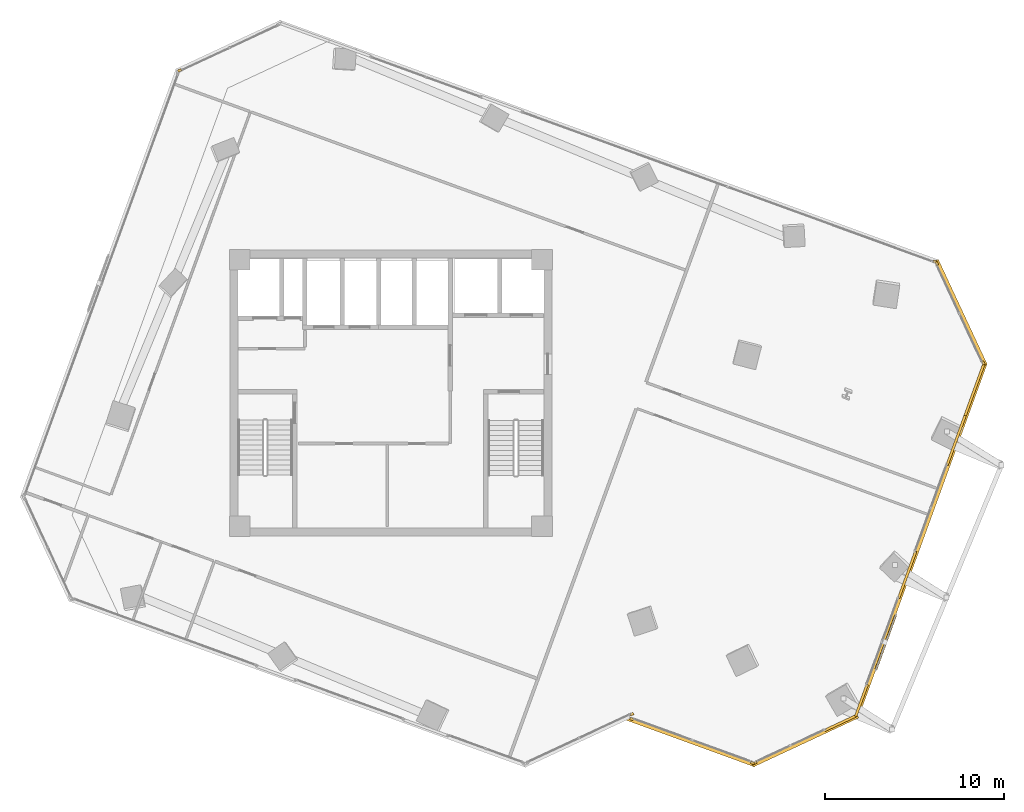
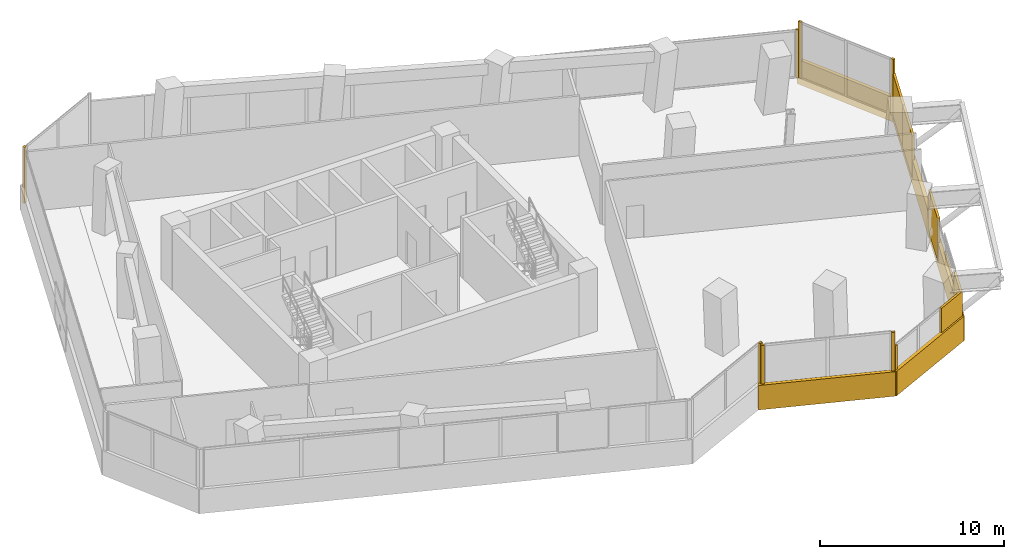
# One storey, part 20 of 21: 17 coverings, 1 shading device.
"""IFC4 building model written with IfcOpenShell, lengths in metres."""

from ifc_helpers import new_model, si_unit, direction, frame, origin, origin_2d, place, context, subcontext, project, spatial, rectangle, extrude, source, transform, mapped, material, layer, layer_set, type_object, element, save


model = new_model("IFC4")

# Units and contexts
model_context = context("Model", 3, precision=1e-05, world=origin(), true_north=direction((0.0, 1.0)))
body_context = subcontext(model_context, "Body", "Model", "MODEL_VIEW")
ifc_project = project(units=[si_unit("LENGTHUNIT", "METRE"), si_unit("AREAUNIT", "SQUARE_METRE"), si_unit("VOLUMEUNIT", "CUBIC_METRE"), si_unit("PLANEANGLEUNIT", "RADIAN"), si_unit("MASSUNIT", "GRAM", prefix="KILO")], contexts=[model_context])

# Site, building, storey
site_placement = place(None, origin())
site = spatial("IfcSite", under=ifc_project, at=site_placement, CompositionType="ELEMENT")
building_placement = place(site_placement, origin())
building = spatial("IfcBuilding", under=site, at=building_placement, Name="Torre Montelarca", CompositionType="ELEMENT")
storey_placement = place(building_placement, frame((0.0, 0.0, 137.199951171875)))
storey = spatial("IfcBuildingStorey", under=building, at=storey_placement, Name="L30", CompositionType="ELEMENT", Elevation=137.199951171875)

# Coverings
ifc_material_1 = material(Name="Bush-hammered warm white precast concrete C45/55", Category="concrete")
ifc_layer_1 = layer(ifc_material_1, 0.139892578125, Name="Bush-hammered warm white precast concrete C45/55", Category="concrete")
ifc_layer_set_1 = layer_set([ifc_layer_1], Name="Bush-hammered warm white precast concrete C45/55")
covering_type = type_object("IfcCoveringType", Name="COV-TRAY-CLAD", PredefinedType="CLADDING", material=ifc_layer_set_1)
shared_shape_1 = source(origin(), body_context, "Body", "SweptSolid", [
    extrude(rectangle(XDim=6.48388671875, YDim=0.219970703125, at=origin_2d()), origin(), (0.0, 0.0, 1.0), 1.6201171875),
])
for number, where, z_axis, x_axis, name in (
    (1, (41.17041015625, 12.572021484375, -0.449951171875), (0.0, 0.0, 1.0), (0.906309262247, 0.422615098127, 0.0), "L30 Architectural White Spandrel Tray Band TRYBOT-05"),
    (2, (49.877197265625, 36.494384765625, -0.449951171875), (0.0, 0.0, 1.0), (-0.422615098127, 0.906309262247, 0.0), "L30 Architectural White Spandrel Tray Band TRYBOT-07"),
):
    element("IfcCovering", number, at=place(storey_placement, frame(where, z_axis=z_axis, x_axis=x_axis)), inside=storey, type_object=covering_type, Name=name, PredefinedType="CLADDING", context=body_context, shape_type="MappedRepresentation", body=[
        mapped(shared_shape_1, transform((0.0, 0.0, 0.0), scale=1.0)),
    ])
shared_shape_2 = source(origin(), body_context, "Body", "SweptSolid", [
    extrude(rectangle(XDim=21.1201171875, YDim=0.219970703125, at=origin_2d()), origin(), (0.0, 0.0, 1.0), 1.6201171875),
])
covering_1_placement = place(storey_placement, frame((47.6298828125, 23.7666015625, -0.449951171875), z_axis=(0.0, 0.0, 1.0), x_axis=(0.342018503252, 0.939693217722, 0.0)))
element("IfcCovering", 3, at=covering_1_placement, inside=storey, type_object=covering_type, Name="L30 Architectural White Spandrel Tray Band TRYBOT-06", PredefinedType="CLADDING", context=body_context, shape_type="MappedRepresentation", body=[
    mapped(shared_shape_2, transform((0.0, 0.0, 0.0), scale=1.0)),
])

# Shading device
ifc_material_2 = material(Name="Architectural perforated terracotta ceramic", Category="masonry")
ifc_layer_2 = layer(ifc_material_2, 0.080078125, Name="Architectural perforated terracotta ceramic", Category="masonry")
ifc_layer_set_2 = layer_set([ifc_layer_2], Name="Architectural perforated terracotta ceramic")
shading_device_type = type_object("IfcShadingDeviceType", Name="SHD-JALOUSIE-1", PredefinedType="JALOUSIE", material=ifc_layer_set_2)
shared_shape_3 = source(origin(), body_context, "Body", "SweptSolid", [
    extrude(rectangle(XDim=3.199951171875, YDim=0.10009765625, at=origin_2d()), origin(), (0.0, 0.0, 1.0), 1.25),
])
shading_device_placement = place(storey_placement, frame((45.67138671875, 18.06396484375, -0.0048828125), z_axis=(0.0, 0.0, 1.0), x_axis=(0.342018503252, 0.939693217722, 0.0)))
element("IfcShadingDevice", 4, at=shading_device_placement, inside=storey, type_object=shading_device_type, Name="L30 Facade Solar Shading Device E6", PredefinedType="JALOUSIE", context=body_context, shape_type="MappedRepresentation", body=[
    mapped(shared_shape_3, transform((0.0, 0.0, 0.0), scale=1.0)),
])

# Coverings
shared_shape_4 = source(origin(), body_context, "Body", "SweptSolid", [
    extrude(rectangle(XDim=0.199951171875, YDim=0.139892578125, at=origin_2d()), origin(), (0.0, 0.0, 1.0), 3.719970703125),
])
for number, where, z_axis, x_axis, name in (
    (5, (31.475830078125, 14.047119140625, 0.0), (0.0, 0.0, 1.0), (0.906314425397, 0.422604025439, 0.0), "L30 Architectural Column Pier Cladding E02-2"),
    (6, (31.462646484375, 13.783935546875, 0.0), (0.0, 0.0, 1.0), (0.939695605439, -0.342011942948, 0.0), "L30 Architectural Column Pier Cladding E04-1"),
    (7, (38.220947265625, 11.32421875, 0.0), (0.0, 0.0, 1.0), (0.939695605439, -0.342011942948, 0.0), "L30 Architectural Column Pier Cladding E04-2"),
    (8, (51.11865234375, 33.690185546875, 0.0), (0.0, 0.0, 1.0), (-0.422611934508, 0.906310737447, 0.0), "L30 Architectural Column Pier Cladding E07-1"),
    (9, (48.527099609375, 39.247802734375, 0.0), (0.0, 0.0, 1.0), (-0.422611934508, 0.906310737447, 0.0), "L30 Architectural Column Pier Cladding E07-2"),
    (10, (6.193115234375, 50.04150390625, 0.0), (0.0, 0.0, 1.0), (-0.906310737447, -0.422611934508, 0.0), "L30 Architectural Column Pier Cladding E09-2"),
):
    element("IfcCovering", number, at=place(storey_placement, frame(where, z_axis=z_axis, x_axis=x_axis)), inside=storey, type_object=covering_type, Name=name, PredefinedType="CLADDING", context=body_context, shape_type="MappedRepresentation", body=[
        mapped(shared_shape_4, transform((0.0, 0.0, 0.0), scale=1.0)),
    ])
shared_shape_5 = source(origin(), body_context, "Body", "SweptSolid", [
    extrude(rectangle(XDim=0.199951171875, YDim=0.139892578125, at=origin_2d()), origin(), (0.0, 0.0, 1.0), 2.77490234375),
])
covering_2_placement = place(storey_placement, frame((38.3662109375, 11.33056640625, 0.0), z_axis=(0.0, 0.0, 1.0), x_axis=(0.906310737447, 0.422611934508, 0.0)))
element("IfcCovering", 11, at=covering_2_placement, inside=storey, type_object=covering_type, Name="L30 Architectural Column Pier Cladding E05-1", PredefinedType="CLADDING", context=body_context, shape_type="MappedRepresentation", body=[
    mapped(shared_shape_5, transform((0.0, 0.0, 0.0), scale=1.0)),
])
shared_shape_6 = source(origin(), body_context, "Body", "SweptSolid", [
    extrude(rectangle(XDim=7.6201171875, YDim=0.219970703125, at=origin_2d()), origin(), (0.0, 0.0, 1.0), 1.6201171875),
])
covering_3_placement = place(storey_placement, frame((34.785400390625, 12.5107421875, -0.449951171875), z_axis=(0.0, 0.0, 1.0), x_axis=(0.939695008514, -0.342013583025, 0.0)))
element("IfcCovering", 12, at=covering_3_placement, inside=storey, type_object=covering_type, Name="L30 Architectural White Spandrel Tray Band TRYBOT-04", PredefinedType="CLADDING", context=body_context, shape_type="MappedRepresentation", body=[
    mapped(shared_shape_6, transform((0.0, 0.0, 0.0), scale=1.0)),
])
shared_shape_7 = source(origin(), body_context, "Body", "SweptSolid", [
    extrude(rectangle(XDim=1.9580078125, YDim=0.139892578125, at=origin_2d()), origin(), (0.0, 0.0, 1.0), 2.77490234375),
])
covering_4_placement = place(storey_placement, frame((43.127197265625, 13.55078125, 0.0), z_axis=(0.0, 0.0, 1.0), x_axis=(0.906310737447, 0.422611934508, 0.0)))
element("IfcCovering", 13, at=covering_4_placement, inside=storey, type_object=covering_type, Name="L30 Architectural Column Pier Cladding E05-2", PredefinedType="CLADDING", context=body_context, shape_type="MappedRepresentation", body=[
    mapped(shared_shape_7, transform((0.0, 0.0, 0.0), scale=1.0)),
])
shared_shape_8 = source(origin(), body_context, "Body", "SweptSolid", [
    extrude(rectangle(XDim=1.887939453125, YDim=0.139892578125, at=origin_2d()), origin(), (0.0, 0.0, 1.0), 2.77490234375),
])
covering_5_placement = place(storey_placement, frame((44.310546875, 14.822265625, 0.0), z_axis=(0.0, 0.0, 1.0), x_axis=(0.342016863178, 0.939693814656, 0.0)))
element("IfcCovering", 14, at=covering_5_placement, inside=storey, type_object=covering_type, Name="L30 Architectural Column Pier Cladding E06-1", PredefinedType="CLADDING", context=body_context, shape_type="MappedRepresentation", body=[
    mapped(shared_shape_8, transform((0.0, 0.0, 0.0), scale=1.0)),
])
shared_shape_9 = source(origin(), body_context, "Body", "SweptSolid", [
    extrude(rectangle(XDim=2.787841796875, YDim=0.139892578125, at=origin_2d()), origin(), (0.0, 0.0, 1.0), 2.77490234375),
])
covering_6_placement = place(storey_placement, frame((46.866455078125, 21.8447265625, 0.0), z_axis=(0.0, 0.0, 1.0), x_axis=(0.342016863178, 0.939693814656, 0.0)))
element("IfcCovering", 15, at=covering_6_placement, inside=storey, type_object=covering_type, Name="L30 Architectural Column Pier Cladding E06-2", PredefinedType="CLADDING", context=body_context, shape_type="MappedRepresentation", body=[
    mapped(shared_shape_9, transform((0.0, 0.0, 0.0), scale=1.0)),
])
shared_shape_10 = source(origin(), body_context, "Body", "SweptSolid", [
    extrude(rectangle(XDim=2.943603515625, YDim=0.139892578125, at=origin_2d()), origin(), (0.0, 0.0, 1.0), 2.77490234375),
])
covering_7_placement = place(storey_placement, frame((49.60107421875, 29.35791015625, 0.0), z_axis=(0.0, 0.0, 1.0), x_axis=(0.342016863178, 0.939693814656, 0.0)))
element("IfcCovering", 16, at=covering_7_placement, inside=storey, type_object=covering_type, Name="L30 Architectural Column Pier Cladding E06-3", PredefinedType="CLADDING", context=body_context, shape_type="MappedRepresentation", body=[
    mapped(shared_shape_10, transform((0.0, 0.0, 0.0), scale=1.0)),
])
shared_shape_11 = source(origin(), body_context, "Body", "SweptSolid", [
    extrude(rectangle(XDim=3.18408203125, YDim=0.139892578125, at=origin_2d()), origin(), (0.0, 0.0, 1.0), 2.77490234375),
])
covering_8_placement = place(storey_placement, frame((50.61474609375, 32.142822265625, 0.0), z_axis=(0.0, 0.0, 1.0), x_axis=(0.342016863178, 0.939693814656, 0.0)))
element("IfcCovering", 17, at=covering_8_placement, inside=storey, type_object=covering_type, Name="L30 Architectural Column Pier Cladding E06-4", PredefinedType="CLADDING", context=body_context, shape_type="MappedRepresentation", body=[
    mapped(shared_shape_11, transform((0.0, 0.0, 0.0), scale=1.0)),
])
shared_shape_12 = source(origin(), body_context, "Body", "SweptSolid", [
    extrude(rectangle(XDim=0.199951171875, YDim=0.139892578125, at=origin_2d()), origin(), (0.0, 0.0, 1.0), 3.175048828125),
])
covering_9_placement = place(storey_placement, frame((48.419921875, 39.345947265625, 0.0), z_axis=(0.0, 0.0, 1.0), x_axis=(-0.939693814656, 0.342016863178, 0.0)))
element("IfcCovering", 18, at=covering_9_placement, inside=storey, type_object=covering_type, Name="L30 Architectural Column Pier Cladding E08-1", PredefinedType="CLADDING", context=body_context, shape_type="MappedRepresentation", body=[
    mapped(shared_shape_12, transform((0.0, 0.0, 0.0), scale=1.0)),
])

save(model, "model.ifc")
